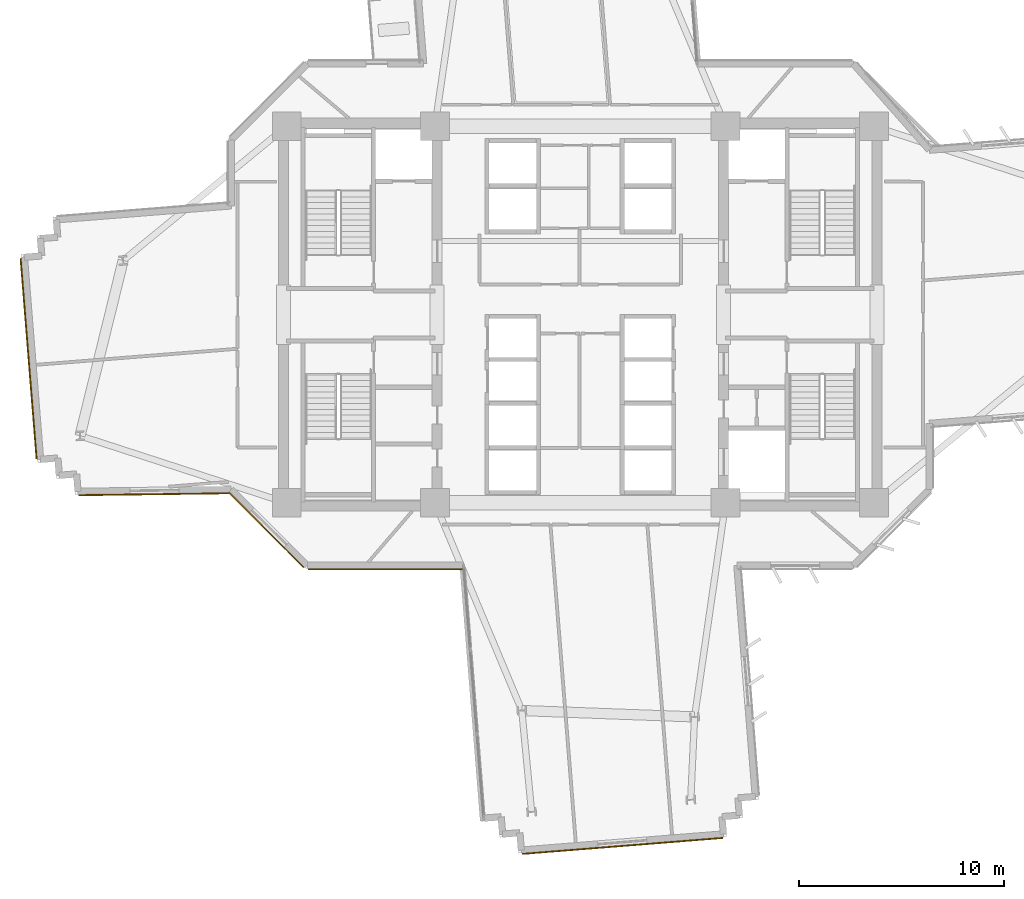
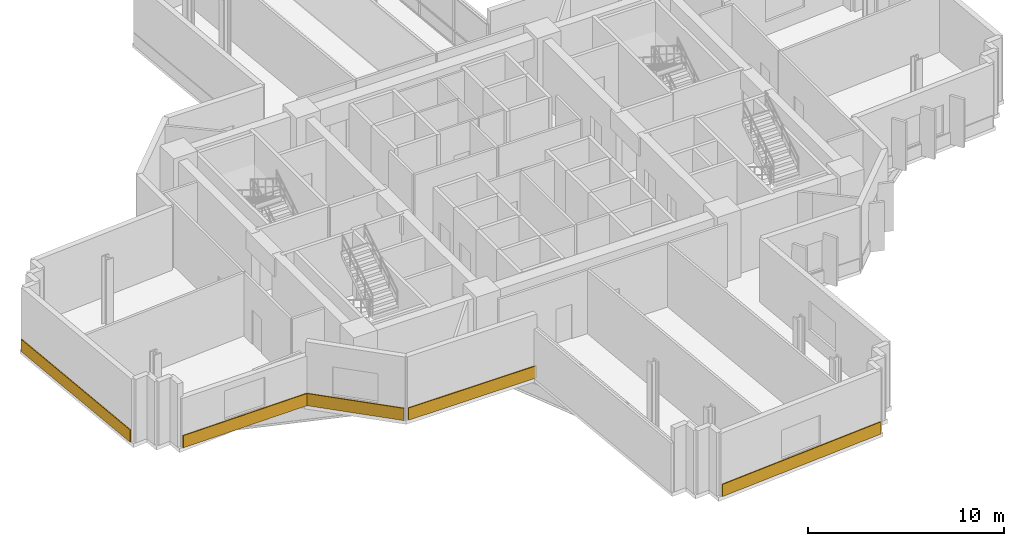
# One storey, part 11 of 15: 5 coverings.
"""IFC4 building model written with IfcOpenShell, lengths in metres."""

from ifc_helpers import new_model, si_unit, direction, frame, origin, origin_2d, place, context, subcontext, project, spatial, rectangle, extrude, source, transform, mapped, material, layer, layer_set, type_object, element, save


model = new_model("IFC4")

# Units and contexts
model_context = context("Model", 3, precision=1e-05, world=origin(), true_north=direction((0.0, 1.0)))
body_context = subcontext(model_context, "Body", "Model", "MODEL_VIEW")
ifc_project = project(units=[si_unit("LENGTHUNIT", "METRE"), si_unit("AREAUNIT", "SQUARE_METRE"), si_unit("VOLUMEUNIT", "CUBIC_METRE"), si_unit("PLANEANGLEUNIT", "RADIAN"), si_unit("MASSUNIT", "GRAM", prefix="KILO")], contexts=[model_context])

# Site, building, storey
site_placement = place(None, origin())
site = spatial("IfcSite", under=ifc_project, at=site_placement, CompositionType="ELEMENT")
building_placement = place(site_placement, origin())
building = spatial("IfcBuilding", under=site, at=building_placement, Name="Zahravan Cultural Tower", CompositionType="ELEMENT")
storey_placement = place(building_placement, frame((0.0, 0.0, 87.89990234375)))
storey = spatial("IfcBuildingStorey", under=building, at=storey_placement, Name="L19", CompositionType="ELEMENT", Elevation=87.89990234375)

# Coverings
ifc_material = material(Name="Terracotta ceramic cladding", Category="masonry")
ifc_layer = layer(ifc_material, 0.06005859375)
ifc_layer_set = layer_set([ifc_layer], Name="Terracotta ceramic cladding")
covering_type = type_object("IfcCoveringType", Name="COV-CLAD-TC60", PredefinedType="CLADDING", material=ifc_layer_set)
shared_shape_1 = source(origin(), body_context, "Body", "SweptSolid", [
    extrude(rectangle(XDim=9.820068359375, YDim=0.06005859375, at=origin_2d()), origin(), (0.0, 0.0, 1.0), 0.760009765625),
])
for number, where, z_axis, x_axis, name in (
    (1, (38.070556640625, 1.037353515625, 0.02001953125), (0.0, 0.0, 1.0), (-0.996834624954, -0.079503021908, 0.0), "L19 Terracotta Spandrel Cladding 20"),
    (2, (9.04052734375, 24.849853515625, 0.02001953125), (0.0, 0.0, 1.0), (-0.079503021908, 0.996834624954, 0.0), "L19 Terracotta Spandrel Cladding 32"),
):
    element("IfcCovering", number, at=place(storey_placement, frame(where, z_axis=z_axis, x_axis=x_axis)), inside=storey, type_object=covering_type, Name=name, PredefinedType="CLADDING", context=body_context, shape_type="MappedRepresentation", body=[
        mapped(shared_shape_1, transform((0.0, 0.0, 0.0), x_axis=(1.0, 0.0, 0.0), y_axis=(0.0, 1.0, 0.0), z_axis=(0.0, 0.0, 1.0), scale=1.0)),
    ])
shared_shape_2 = source(origin(), body_context, "Body", "SweptSolid", [
    extrude(rectangle(XDim=5.157958984375, YDim=0.06005859375, at=origin_2d()), origin(), (0.0, 0.0, 1.0), 0.760009765625),
])
covering_1_placement = place(storey_placement, frame((20.668212890625, 16.46826171875, 0.02001953125), z_axis=(0.0, 0.0, 1.0), x_axis=(-0.707106781187, 0.707106781187, 0.0)))
element("IfcCovering", 3, at=covering_1_placement, inside=storey, type_object=covering_type, Name="L19 Terracotta Spandrel Cladding 26", PredefinedType="CLADDING", context=body_context, shape_type="MappedRepresentation", body=[
    mapped(shared_shape_2, transform((0.0, 0.0, 0.0), x_axis=(1.0, 0.0, 0.0), y_axis=(0.0, 1.0, 0.0), z_axis=(0.0, 0.0, 1.0), scale=1.0)),
])
shared_shape_3 = source(origin(), body_context, "Body", "SweptSolid", [
    extrude(rectangle(XDim=7.53857421875, YDim=0.06005859375, at=origin_2d()), origin(), (0.0, 0.0, 1.0), 0.760009765625),
])
covering_2_placement = place(storey_placement, frame((26.477294921875, 14.554931640625, 0.02001953125), z_axis=(0.0, 0.0, 1.0), x_axis=(-1.0, 0.0, 0.0)))
element("IfcCovering", 4, at=covering_2_placement, inside=storey, type_object=covering_type, Name="L19 Terracotta Spandrel Cladding 25", PredefinedType="CLADDING", context=body_context, shape_type="MappedRepresentation", body=[
    mapped(shared_shape_3, transform((0.0, 0.0, 0.0), x_axis=(1.0, 0.0, 0.0), y_axis=(0.0, 1.0, 0.0), z_axis=(0.0, 0.0, 1.0), scale=1.0)),
])
shared_shape_4 = source(origin(), body_context, "Body", "SweptSolid", [
    extrude(rectangle(XDim=7.3916015625, YDim=0.06005859375, at=origin_2d()), origin(), (0.0, 0.0, 1.0), 0.760009765625),
])
covering_3_placement = place(storey_placement, frame((15.197021484375, 18.224365234375, 0.02001953125), z_axis=(0.0, 0.0, 1.0), x_axis=(-0.999915919307, -0.012967432893, 0.0)))
element("IfcCovering", 5, at=covering_3_placement, inside=storey, type_object=covering_type, Name="L19 Terracotta Spandrel Cladding 27", PredefinedType="CLADDING", context=body_context, shape_type="MappedRepresentation", body=[
    mapped(shared_shape_4, transform((0.0, 0.0, 0.0), x_axis=(1.0, 0.0, 0.0), y_axis=(0.0, 1.0, 0.0), z_axis=(0.0, 0.0, 1.0), scale=1.0)),
])

save(model, "model.ifc")
